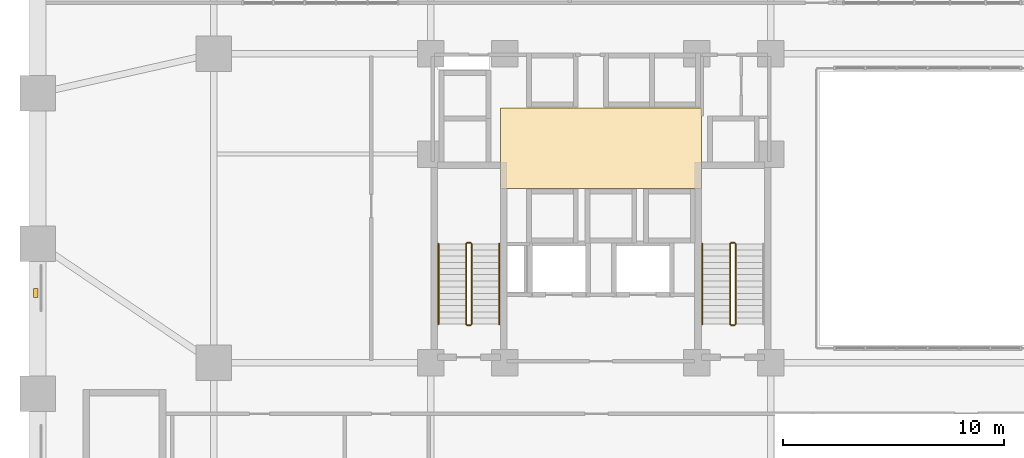
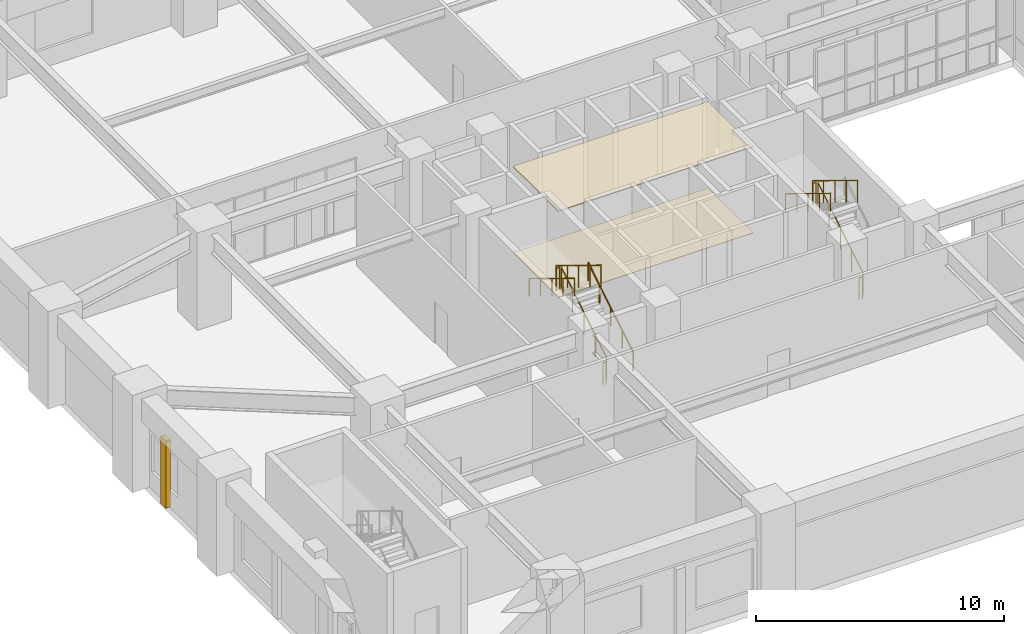
# One storey, part 11 of 13: 11 railings, 3 coverings.
"""IFC4 building model written with IfcOpenShell, lengths in metres."""

from ifc_helpers import new_model, si_unit, derived_unit, direction, frame, origin, origin_2d, place, context, subcontext, project, spatial, polyline, rectangle, circle, outline, extrude, material, layer, layer_set, type_object, element, save


model = new_model("IFC4")

# Units and contexts
model_context = context("Model", 3, precision=1e-05, world=origin(), true_north=direction((0.0, 1.0)))
body_context = subcontext(model_context, "Body", "Model", "MODEL_VIEW")
ifc_project = project(units=[si_unit("LENGTHUNIT", "METRE"), si_unit("AREAUNIT", "SQUARE_METRE"), si_unit("VOLUMEUNIT", "CUBIC_METRE"), si_unit("PLANEANGLEUNIT", "RADIAN"), si_unit("MASSUNIT", "GRAM", prefix="KILO"), derived_unit("THERMALTRANSMITTANCEUNIT", [(si_unit("MASSUNIT", "GRAM", prefix="KILO"), 1), (si_unit("TIMEUNIT", "SECOND"), -3), (si_unit("THERMODYNAMICTEMPERATUREUNIT", "KELVIN"), -1)])], contexts=[model_context])

# Site, building, storey
site_placement = place(None, origin())
site = spatial("IfcSite", under=ifc_project, at=site_placement, CompositionType="ELEMENT")
building_placement = place(site_placement, origin())
building = spatial("IfcBuilding", under=site, at=building_placement, Name="Korrvale Station Residences", CompositionType="ELEMENT")
storey_placement = place(building_placement, frame((0.0, 0.0, 11.199951171875)))
storey = spatial("IfcBuildingStorey", under=building, at=storey_placement, Name="L02", CompositionType="ELEMENT", Elevation=11.199951171875)

# Coverings
ifc_material_1 = material(Name="Perforated acoustic mineral-fibre suspended ceiling", Category="gypsum")
ifc_layer_1 = layer(ifc_material_1, 0.050048828125, Name="Perforated acoustic mineral-fibre suspended ceiling")
ifc_layer_set_1 = layer_set([ifc_layer_1], Name="Perforated acoustic mineral-fibre suspended ceiling")
covering_type_1 = type_object("IfcCoveringType", Name="COV-CLG-AC60", PredefinedType="CEILING", material=ifc_layer_set_1)
covering_1_placement = place(storey_placement, frame((0.0, 0.0, 4.22998046875)))
element("IfcCovering", 1, at=covering_1_placement, inside=storey, type_object=covering_type_1, Name="L02 Elevator Lobby Acoustic Ceiling", PredefinedType="CEILING", context=body_context, shape_type="SweptSolid", body=[
    extrude(outline(polyline([(20.949951171875, 22.89990234375), (30.050048828125, 22.89990234375), (30.050048828125, 26.550048828125), (20.949951171875, 26.550048828125), (20.949951171875, 22.89990234375)])), origin(), (0.0, 0.0, 1.0), 0.050048828125),
])
ifc_material_2 = material(Name="Polished quartz-terrazzo lobby flooring", Category="masonry")
ifc_layer_2 = layer(ifc_material_2, 0.02001953125, Name="Polished quartz-terrazzo lobby flooring")
ifc_layer_set_2 = layer_set([ifc_layer_2], Name="Polished quartz-terrazzo lobby flooring")
covering_type_2 = type_object("IfcCoveringType", Name="COV-FLR-TER20", PredefinedType="FLOORING", material=ifc_layer_set_2)
covering_2_placement = place(storey_placement, origin())
element("IfcCovering", 2, at=covering_2_placement, inside=storey, type_object=covering_type_2, Name="L02 Elevator Lobby Terrazzo Flooring", PredefinedType="FLOORING", context=body_context, shape_type="SweptSolid", body=[
    extrude(outline(polyline([(20.949951171875, 22.89990234375), (30.050048828125, 22.89990234375), (30.050048828125, 26.550048828125), (20.949951171875, 26.550048828125), (20.949951171875, 22.89990234375)])), origin(), (0.0, 0.0, 1.0), 0.02001953125),
])
ifc_material_3 = material(Name="Architectural precast concrete C45/55", Category="concrete")
ifc_layer_3 = layer(ifc_material_3, 0.219970703125, Name="Architectural precast concrete C45/55")
ifc_layer_set_3 = layer_set([ifc_layer_3], Name="Architectural precast concrete C45/55")
covering_type_3 = type_object("IfcCoveringType", Name="COV-PIER-400", PredefinedType="CLADDING", material=ifc_layer_set_3)
covering_3_placement = place(storey_placement, frame((-0.090087890625, 18.159912109375, 0.025146484375), z_axis=(0.0, 0.0, 1.0), x_axis=(0.0, 1.0, 0.0)))
element("IfcCovering", 3, at=covering_3_placement, inside=storey, type_object=covering_type_3, Name="L02 Architectural Precast Facade Pier 15", PredefinedType="CLADDING", context=body_context, shape_type="SweptSolid", body=[
    extrude(rectangle(XDim=0.419921875, YDim=0.219970703125, at=origin_2d()), origin(), (0.0, 0.0, 1.0), 3.31494140625),
])

# Railings
ifc_material_4 = material(Name="Brushed stainless-steel continuous stair handrail", Category="steel")
railing_type_1 = type_object("IfcRailingType", Name="RLG-SHND-900", PredefinedType="HANDRAIL", material=ifc_material_4)
railing_1_placement = place(storey_placement, frame((20.89990234375, 16.75, 0.17138671875)))
element("IfcRailing", 4, at=railing_1_placement, inside=storey, type_object=railing_type_1, Name="L02 ST-1 stair handrail 1", PredefinedType="HANDRAIL", context=body_context, shape_type="SweptSolid", body=[
    extrude(circle(Radius=0.02392578125, at=origin_2d()), frame((0.0, 0.0, 0.8759765625), z_axis=(0.0, 0.852824790078, 0.522197163366), x_axis=(-1.0, 0.0, 0.0)), (0.0, 0.0, 1.0), 4.26806640625),
    extrude(circle(Radius=0.02099609375, at=origin_2d()), origin(), (0.0, 0.0, 1.0), 0.851806640625),
    extrude(circle(Radius=0.02099609375, at=origin_2d()), frame((0.0, 0.909912109375, 0.55712890625)), (0.0, 0.0, 1.0), 0.851806640625),
    extrude(circle(Radius=0.02099609375, at=origin_2d()), frame((0.0, 1.81982421875, 1.1142578125)), (0.0, 0.0, 1.0), 0.851806640625),
    extrude(circle(Radius=0.02099609375, at=origin_2d()), frame((0.0, 2.72998046875, 1.671630859375)), (0.0, 0.0, 1.0), 0.851806640625),
    extrude(circle(Radius=0.02099609375, at=origin_2d()), frame((0.0, 3.639892578125, 2.228759765625)), (0.0, 0.0, 1.0), 0.851806640625),
])
for number, where, name in (
    (5, (18.14990234375, 20.389892578125, 2.571533203125), "L02 ST-1 stair handrail 2"),
    (6, (30.10009765625, 20.389892578125, 2.571533203125), "L02 ST-2 stair handrail 2"),
):
    element("IfcRailing", number, at=place(storey_placement, frame(where)), inside=storey, type_object=railing_type_1, Name=name, PredefinedType="HANDRAIL", context=body_context, shape_type="SweptSolid", body=[
        extrude(circle(Radius=0.02392578125, at=origin_2d()), frame((0.0, 0.0, 0.8759765625), z_axis=(0.0, -0.852850264322, 0.5221555579), x_axis=(1.0, 0.0, 0.0)), (0.0, 0.0, 1.0), 4.267822265625),
        extrude(circle(Radius=0.02099609375, at=origin_2d()), origin(), (0.0, 0.0, 1.0), 0.851806640625),
        extrude(circle(Radius=0.02099609375, at=origin_2d()), frame((0.0, -0.909912109375, 0.55712890625)), (0.0, 0.0, 1.0), 0.851806640625),
        extrude(circle(Radius=0.02099609375, at=origin_2d()), frame((0.0, -1.81982421875, 1.1142578125)), (0.0, 0.0, 1.0), 0.851806640625),
        extrude(circle(Radius=0.02099609375, at=origin_2d()), frame((0.0, -2.72998046875, 1.67138671875)), (0.0, 0.0, 1.0), 0.851806640625),
        extrude(circle(Radius=0.02099609375, at=origin_2d()), frame((0.0, -3.639892578125, 2.228515625)), (0.0, 0.0, 1.0), 0.851806640625),
    ])
ifc_material_5 = material(Name="Galvanised painted tubular steel stair guard", Category="steel")
railing_type_2 = type_object("IfcRailingType", Name="RLG-STR-1100", PredefinedType="GUARDRAIL", material=ifc_material_5)
railing_2_placement = place(storey_placement, frame((19.64990234375, 16.75, 0.17138671875)))
element("IfcRailing", 7, at=railing_2_placement, inside=storey, type_object=railing_type_2, Name="L02 ST-1 stair guard 1", PredefinedType="GUARDRAIL", context=body_context, shape_type="SweptSolid", body=[
    extrude(circle(Radius=0.02392578125, at=origin_2d()), frame((0.0, 0.0, 1.076171875), z_axis=(0.0, 0.852824790078, 0.522197163366), x_axis=(-1.0, 0.0, 0.0)), (0.0, 0.0, 1.0), 4.26806640625),
    extrude(circle(Radius=0.02099609375, at=origin_2d()), origin(), (0.0, 0.0, 1.0), 1.052001953125),
    extrude(circle(Radius=0.02099609375, at=origin_2d()), frame((0.0, 0.909912109375, 0.55712890625)), (0.0, 0.0, 1.0), 1.052001953125),
    extrude(circle(Radius=0.02099609375, at=origin_2d()), frame((0.0, 1.81982421875, 1.1142578125)), (0.0, 0.0, 1.0), 1.052001953125),
    extrude(circle(Radius=0.02099609375, at=origin_2d()), frame((0.0, 2.72998046875, 1.671630859375)), (0.0, 0.0, 1.0), 1.052001953125),
    extrude(circle(Radius=0.02099609375, at=origin_2d()), frame((0.0, 3.639892578125, 2.228759765625)), (0.0, 0.0, 1.0), 1.052001953125),
])
railing_3_placement = place(storey_placement, frame((19.60009765625, 20.43994140625, 2.400146484375)))
element("IfcRailing", 8, at=railing_3_placement, inside=storey, type_object=railing_type_2, Name="L02 ST-1 stair guard 2", PredefinedType="GUARDRAIL", context=body_context, shape_type="SweptSolid", body=[
    extrude(circle(Radius=0.02392578125, at=origin_2d()), frame((0.0, 0.0, 1.076171875), z_axis=(-1.0, 0.0, 0.0), x_axis=(0.0, -1.0, 0.0)), (0.0, 0.0, 1.0), 0.150146484375),
    extrude(circle(Radius=0.02099609375, at=origin_2d()), origin(), (0.0, 0.0, 1.0), 1.052001953125),
    extrude(circle(Radius=0.02099609375, at=origin_2d()), frame((-0.150146484375, 0.0, 0.0)), (0.0, 0.0, 1.0), 1.052001953125),
])
railing_4_placement = place(storey_placement, frame((19.39990234375, 20.389892578125, 2.571533203125)))
element("IfcRailing", 9, at=railing_4_placement, inside=storey, type_object=railing_type_2, Name="L02 ST-1 stair guard 3", PredefinedType="GUARDRAIL", context=body_context, shape_type="SweptSolid", body=[
    extrude(circle(Radius=0.02392578125, at=origin_2d()), frame((0.0, 0.0, 1.076171875), z_axis=(0.0, -0.852850264322, 0.5221555579), x_axis=(1.0, 0.0, 0.0)), (0.0, 0.0, 1.0), 4.267822265625),
    extrude(circle(Radius=0.02099609375, at=origin_2d()), origin(), (0.0, 0.0, 1.0), 1.052001953125),
    extrude(circle(Radius=0.02099609375, at=origin_2d()), frame((0.0, -0.909912109375, 0.55712890625)), (0.0, 0.0, 1.0), 1.052001953125),
    extrude(circle(Radius=0.02099609375, at=origin_2d()), frame((0.0, -1.81982421875, 1.1142578125)), (0.0, 0.0, 1.0), 1.052001953125),
    extrude(circle(Radius=0.02099609375, at=origin_2d()), frame((0.0, -2.72998046875, 1.67138671875)), (0.0, 0.0, 1.0), 1.052001953125),
    extrude(circle(Radius=0.02099609375, at=origin_2d()), frame((0.0, -3.639892578125, 2.228515625)), (0.0, 0.0, 1.0), 1.052001953125),
])
railing_5_placement = place(storey_placement, frame((19.60009765625, 16.699951171875, 0.0)))
element("IfcRailing", 10, at=railing_5_placement, inside=storey, type_object=railing_type_2, Name="L02 ST-1 stair guard 4", PredefinedType="GUARDRAIL", context=body_context, shape_type="SweptSolid", body=[
    extrude(circle(Radius=0.02392578125, at=origin_2d()), frame((0.0, 0.0, 1.076171875), z_axis=(-1.0, 0.0, 0.0), x_axis=(0.0, -1.0, 0.0)), (0.0, 0.0, 1.0), 0.150146484375),
    extrude(circle(Radius=0.02099609375, at=origin_2d()), origin(), (0.0, 0.0, 1.0), 1.052001953125),
    extrude(circle(Radius=0.02099609375, at=origin_2d()), frame((-0.150146484375, 0.0, 0.0)), (0.0, 0.0, 1.0), 1.052001953125),
])
railing_6_placement = place(storey_placement, frame((31.60009765625, 16.75, 0.17138671875)))
element("IfcRailing", 11, at=railing_6_placement, inside=storey, type_object=railing_type_2, Name="L02 ST-2 stair guard 1", PredefinedType="GUARDRAIL", context=body_context, shape_type="SweptSolid", body=[
    extrude(circle(Radius=0.02392578125, at=origin_2d()), frame((0.0, 0.0, 1.076171875), z_axis=(0.0, 0.852824790078, 0.522197163366), x_axis=(-1.0, 0.0, 0.0)), (0.0, 0.0, 1.0), 4.26806640625),
    extrude(circle(Radius=0.02099609375, at=origin_2d()), origin(), (0.0, 0.0, 1.0), 1.052001953125),
    extrude(circle(Radius=0.02099609375, at=origin_2d()), frame((0.0, 0.909912109375, 0.55712890625)), (0.0, 0.0, 1.0), 1.052001953125),
    extrude(circle(Radius=0.02099609375, at=origin_2d()), frame((0.0, 1.81982421875, 1.1142578125)), (0.0, 0.0, 1.0), 1.052001953125),
    extrude(circle(Radius=0.02099609375, at=origin_2d()), frame((0.0, 2.72998046875, 1.671630859375)), (0.0, 0.0, 1.0), 1.052001953125),
    extrude(circle(Radius=0.02099609375, at=origin_2d()), frame((0.0, 3.639892578125, 2.228759765625)), (0.0, 0.0, 1.0), 1.052001953125),
])
railing_7_placement = place(storey_placement, frame((31.550048828125, 20.43994140625, 2.400146484375)))
element("IfcRailing", 12, at=railing_7_placement, inside=storey, type_object=railing_type_2, Name="L02 ST-2 stair guard 2", PredefinedType="GUARDRAIL", context=body_context, shape_type="SweptSolid", body=[
    extrude(circle(Radius=0.02392578125, at=origin_2d()), frame((0.0, 0.0, 1.076171875), z_axis=(-1.0, 0.0, 0.0), x_axis=(0.0, -1.0, 0.0)), (0.0, 0.0, 1.0), 0.150146484375),
    extrude(circle(Radius=0.02099609375, at=origin_2d()), origin(), (0.0, 0.0, 1.0), 1.052001953125),
    extrude(circle(Radius=0.02099609375, at=origin_2d()), frame((-0.150146484375, 0.0, 0.0)), (0.0, 0.0, 1.0), 1.052001953125),
])
railing_8_placement = place(storey_placement, frame((31.35009765625, 20.389892578125, 2.571533203125)))
element("IfcRailing", 13, at=railing_8_placement, inside=storey, type_object=railing_type_2, Name="L02 ST-2 stair guard 3", PredefinedType="GUARDRAIL", context=body_context, shape_type="SweptSolid", body=[
    extrude(circle(Radius=0.02392578125, at=origin_2d()), frame((0.0, 0.0, 1.076171875), z_axis=(0.0, -0.852850264322, 0.5221555579), x_axis=(1.0, 0.0, 0.0)), (0.0, 0.0, 1.0), 4.267822265625),
    extrude(circle(Radius=0.02099609375, at=origin_2d()), origin(), (0.0, 0.0, 1.0), 1.052001953125),
    extrude(circle(Radius=0.02099609375, at=origin_2d()), frame((0.0, -0.909912109375, 0.55712890625)), (0.0, 0.0, 1.0), 1.052001953125),
    extrude(circle(Radius=0.02099609375, at=origin_2d()), frame((0.0, -1.81982421875, 1.1142578125)), (0.0, 0.0, 1.0), 1.052001953125),
    extrude(circle(Radius=0.02099609375, at=origin_2d()), frame((0.0, -2.72998046875, 1.67138671875)), (0.0, 0.0, 1.0), 1.052001953125),
    extrude(circle(Radius=0.02099609375, at=origin_2d()), frame((0.0, -3.639892578125, 2.228515625)), (0.0, 0.0, 1.0), 1.052001953125),
])
railing_9_placement = place(storey_placement, frame((31.550048828125, 16.699951171875, 0.0)))
element("IfcRailing", 14, at=railing_9_placement, inside=storey, type_object=railing_type_2, Name="L02 ST-2 stair guard 4", PredefinedType="GUARDRAIL", context=body_context, shape_type="SweptSolid", body=[
    extrude(circle(Radius=0.02392578125, at=origin_2d()), frame((0.0, 0.0, 1.076171875), z_axis=(-1.0, 0.0, 0.0), x_axis=(0.0, -1.0, 0.0)), (0.0, 0.0, 1.0), 0.150146484375),
    extrude(circle(Radius=0.02099609375, at=origin_2d()), origin(), (0.0, 0.0, 1.0), 1.052001953125),
    extrude(circle(Radius=0.02099609375, at=origin_2d()), frame((-0.150146484375, 0.0, 0.0)), (0.0, 0.0, 1.0), 1.052001953125),
])

save(model, "model.ifc")
